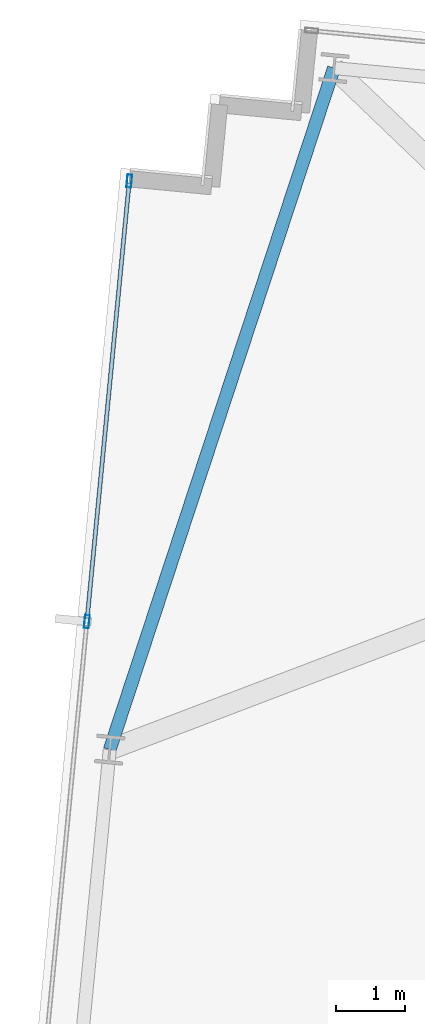
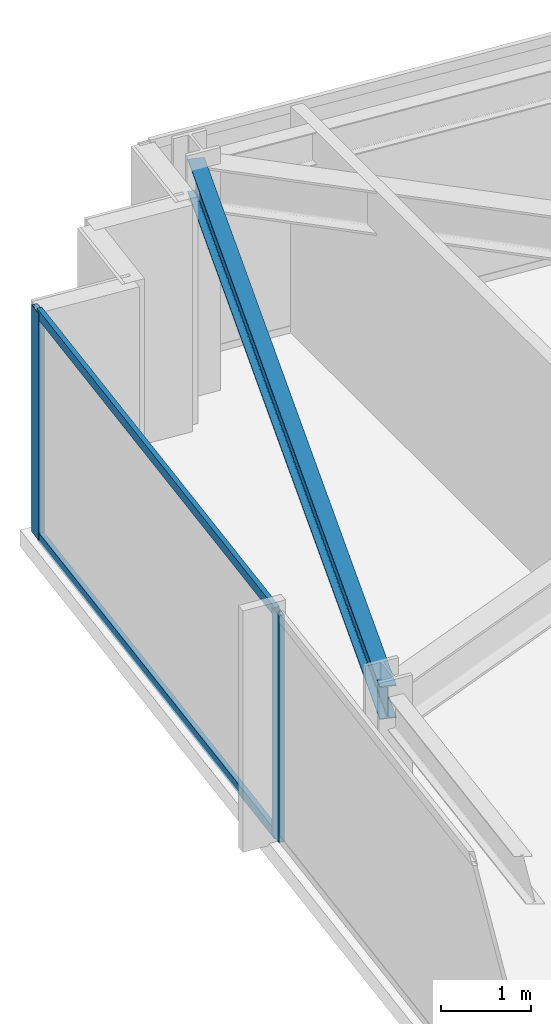
# One storey, part 21 of 37: 4 members, 1 beam, 1 element without a shape of its own.
"""IFC4 building model written with IfcOpenShell, lengths in metres."""

from ifc_helpers import new_model, si_unit, direction, frame, origin, origin_2d, place, context, subcontext, project, spatial, hollow_rectangle, i_section, extrude, material, material_profile, profile_set, type_object, element, aggregate, save


model = new_model("IFC4")

# Units and contexts
model_context = context("Model", 3, precision=1e-05, world=origin(), true_north=direction((0.0, 1.0)))
body_context = subcontext(model_context, "Body", "Model", "MODEL_VIEW")
ifc_project = project(units=[si_unit("LENGTHUNIT", "METRE"), si_unit("AREAUNIT", "SQUARE_METRE"), si_unit("VOLUMEUNIT", "CUBIC_METRE"), si_unit("PLANEANGLEUNIT", "RADIAN"), si_unit("MASSUNIT", "GRAM", prefix="KILO")], contexts=[model_context])

# Site, building, storey
site_placement = place(None, origin())
site = spatial("IfcSite", under=ifc_project, at=site_placement, CompositionType="ELEMENT")
building_placement = place(site_placement, origin())
building = spatial("IfcBuilding", under=site, at=building_placement, Name="Yelkora Congress Tower", CompositionType="ELEMENT")
storey_placement = place(building_placement, frame((0.0, 0.0, 158.89990234375)))
storey = spatial("IfcBuildingStorey", under=building, at=storey_placement, Name="L43", CompositionType="ELEMENT", Elevation=158.89990234375)

# Beam
ifc_material_1 = material(Name="Steel S355J2", Category="steel")
ifc_material_profile_1 = material_profile(ifc_material_1, i_section(OverallWidth=0.18994140625, OverallDepth=0.449951171875, WebThickness=0.009521484375, FlangeThickness=0.0146484375, FilletRadius=0.02099609375, at=origin_2d()), Name="IPE 450")
ifc_profile_set_1 = profile_set([ifc_material_profile_1], Name="Steel S355J2")
beam_type = type_object("IfcBeamType", Name="BM-SPAN-IPE450", PredefinedType="SPANDREL", material=ifc_profile_set_1)
beam_placement = place(storey_placement, frame((7.388916015625, 50.390625, 2.85498046875), z_axis=(-0.312456737339, -0.949931990877, 0.0), x_axis=(0.949931990877, -0.312456737339, 0.0)))
element("IfcBeam", 1, at=beam_placement, inside=storey, type_object=beam_type, Name="L43 Perimeter Beam 16", PredefinedType="SPANDREL", context=body_context, shape_type="SweptSolid", body=[
    extrude(i_section(OverallWidth=0.18994140625, OverallDepth=0.449951171875, WebThickness=0.009521484375, FlangeThickness=0.0146484375, FilletRadius=0.02099609375, at=origin_2d()), origin(), (0.0, 0.0, 1.0), 10.4560546875),
])

# Curtain wall, members
ifc_material_2 = material(Name="Anodised aluminium and insulated glass", Category="aluminium")
curtain_wall_type = type_object("IfcCurtainWallType", Name="CW-SYS-B3", PredefinedType="NOTDEFINED", material=ifc_material_2)
curtain_wall_placement = place(storey_placement, origin())
curtain_wall = element("IfcCurtainWall", 2, at=curtain_wall_placement, inside=storey, type_object=curtain_wall_type, Name="L43 Unitised Curtain Wall 5", PredefinedType="NOTDEFINED")
ifc_material_3 = material(Name="Anodised aluminium 6063-T6", Category="aluminium")
ifc_material_profile_2 = material_profile(ifc_material_3, hollow_rectangle(XDim=0.070068359375, YDim=0.18994140625, WallThickness=0.00390625, at=origin_2d()), Name="ALU 70x190x4")
ifc_profile_set_2 = profile_set([ifc_material_profile_2], Name="Anodised aluminium 6063-T6")
member_type_1 = type_object("IfcMemberType", Name="MEM-ML-B3", PredefinedType="MULLION", material=ifc_profile_set_2)
member_1_placement = place(storey_placement, frame((3.7890625, 42.324462890625, 0.0), z_axis=(0.0, 0.0, 1.0), x_axis=(-0.995396242473, 0.095845294465, 0.0)))
member_1 = element("IfcMember", 3, at=member_1_placement, type_object=member_type_1, Name="CW-B3 mullion 5", PredefinedType="MULLION", context=body_context, shape_type="SweptSolid", body=[
    extrude(hollow_rectangle(XDim=0.070068359375, YDim=0.18994140625, WallThickness=0.00390625, at=origin_2d()), origin(), (0.0, 0.0, 1.0), 3.080078125),
])
member_2_placement = place(storey_placement, frame((4.4072265625, 48.74365234375, 0.0), z_axis=(0.0, 0.0, 1.0), x_axis=(-0.995396242473, 0.095845294465, 0.0)))
member_2 = element("IfcMember", 4, at=member_2_placement, type_object=member_type_1, Name="CW-B3 mullion 6", PredefinedType="MULLION", context=body_context, shape_type="SweptSolid", body=[
    extrude(hollow_rectangle(XDim=0.070068359375, YDim=0.18994140625, WallThickness=0.00390625, at=origin_2d()), origin(), (0.0, 0.0, 1.0), 3.080078125),
])
ifc_material_profile_3 = material_profile(ifc_material_3, hollow_rectangle(XDim=0.06005859375, YDim=0.1298828125, WallThickness=0.00390625, at=origin_2d()), Name="ALU 60x130x4")
ifc_profile_set_3 = profile_set([ifc_material_profile_3], Name="Anodised aluminium 6063-T6")
member_type_2 = type_object("IfcMemberType", Name="MEM-TR-B3", PredefinedType="USERDEFINED", material=ifc_profile_set_3)
member_3_placement = place(storey_placement, frame((3.79248046875, 42.359375, 0.030029296875), z_axis=(0.095834923543, 0.99539724102, 0.0), x_axis=(-0.99539724102, 0.095834923543, 0.0)))
member_3 = element("IfcMember", 5, at=member_3_placement, type_object=member_type_2, Name="CW-B3 transom 5.1", ObjectType="TRANSOM", PredefinedType="USERDEFINED", context=body_context, shape_type="SweptSolid", body=[
    extrude(hollow_rectangle(XDim=0.06005859375, YDim=0.1298828125, WallThickness=0.00390625, at=origin_2d()), origin(), (0.0, 0.0, 1.0), 6.37890625),
])
member_4_placement = place(storey_placement, frame((3.79248046875, 42.359375, 3.050048828125), z_axis=(0.095834923543, 0.99539724102, 0.0), x_axis=(-0.99539724102, 0.095834923543, 0.0)))
member_4 = element("IfcMember", 6, at=member_4_placement, type_object=member_type_2, Name="CW-B3 transom 5.2", ObjectType="TRANSOM", PredefinedType="USERDEFINED", context=body_context, shape_type="SweptSolid", body=[
    extrude(hollow_rectangle(XDim=0.06005859375, YDim=0.1298828125, WallThickness=0.00390625, at=origin_2d()), origin(), (0.0, 0.0, 1.0), 6.37890625),
])
aggregate(curtain_wall, [member_1, member_2, member_3, member_4])

save(model, "model.ifc")
